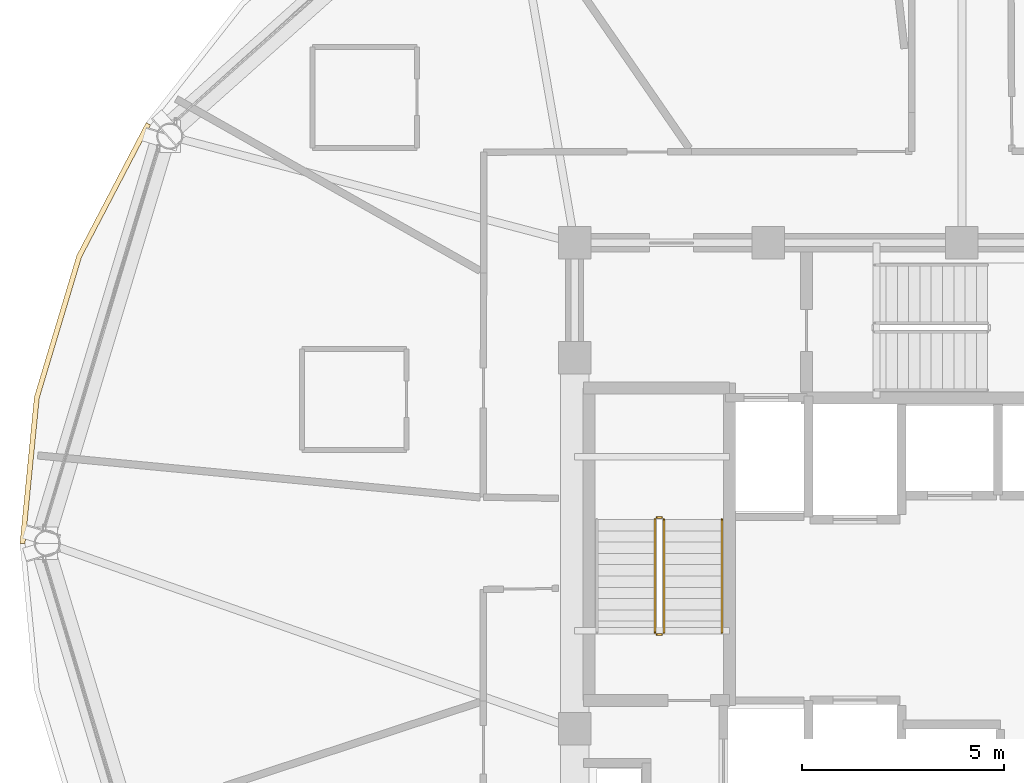
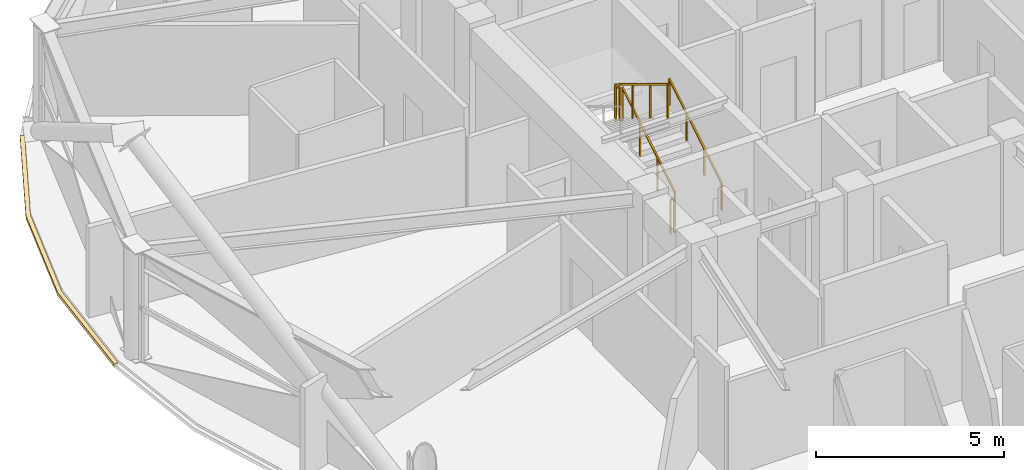
# One storey, part 28 of 30: 5 railings, 1 covering.
"""IFC4 building model written with IfcOpenShell, lengths in metres."""

from ifc_helpers import new_model, si_unit, direction, frame, origin, origin_2d, place, context, subcontext, project, spatial, polyline, rectangle, outline, extrude, material, layer, layer_set, type_object, element, save


model = new_model("IFC4")

# Units and contexts
model_context = context("Model", 3, precision=1e-05, world=origin(), true_north=direction((0.0, 1.0)))
body_context = subcontext(model_context, "Body", "Model", "MODEL_VIEW")
ifc_project = project(units=[si_unit("LENGTHUNIT", "METRE"), si_unit("AREAUNIT", "SQUARE_METRE"), si_unit("VOLUMEUNIT", "CUBIC_METRE"), si_unit("PLANEANGLEUNIT", "RADIAN"), si_unit("MASSUNIT", "GRAM", prefix="KILO")], contexts=[model_context])

# Site, building, storey
site_placement = place(None, origin())
site = spatial("IfcSite", under=ifc_project, at=site_placement, CompositionType="ELEMENT")
building_placement = place(site_placement, origin())
building = spatial("IfcBuilding", under=site, at=building_placement, Name="Vantalir Tower", CompositionType="ELEMENT")
storey_placement = place(building_placement, frame((0.0, 0.0, 189.89990234375)))
storey = spatial("IfcBuildingStorey", under=building, at=storey_placement, Name="L47", CompositionType="ELEMENT", Elevation=189.89990234375)

# Covering
ifc_material_1 = material(Name="Anodised champagne aluminium sill fascia", Category="aluminium")
ifc_layer = layer(ifc_material_1, 0.125)
ifc_layer_set = layer_set([ifc_layer], Name="Anodised champagne aluminium sill fascia")
covering_type = type_object("IfcCoveringType", Name="COV-SLAB-FASCIA-125", PredefinedType="CLADDING", material=ifc_layer_set)
covering_placement = place(storey_placement, frame((0.0, 0.0, -0.179931640625)))
element("IfcCovering", 1, at=covering_placement, inside=storey, type_object=covering_type, Name="L47 Perimeter Slab-Edge Sill Fascia 06", PredefinedType="CLADDING", context=body_context, shape_type="SweptSolid", body=[
    extrude(outline(polyline([(11.277099609375, 35.430908203125), (9.556884765625, 32.135986328125), (8.50390625, 28.623046875), (8.14892578125, 25.0), (8.27392578125, 25.0), (8.626953125, 28.60107421875), (9.675048828125, 32.093017578125), (11.385986328125, 35.368896484375), (11.277099609375, 35.430908203125)])), origin(), (0.0, 0.0, 1.0), 0.10498046875),
])

# Railings
ifc_material_2 = material(Name="Anodised aluminium and stainless steel guard", Category="steel")
railing_type_1 = type_object("IfcRailingType", Name="RAL-GUARD-1120", PredefinedType="GUARDRAIL", material=ifc_material_2)
railing_1_placement = place(storey_placement, frame((24.110107421875, 22.7900390625, 0.170654296875)))
element("IfcRailing", 2, at=railing_1_placement, inside=storey, type_object=railing_type_1, Name="L47 ST1 stair guard 1", PredefinedType="GUARDRAIL", context=body_context, shape_type="SweptSolid", body=[
    extrude(rectangle(XDim=0.048095703125, YDim=0.048095703125, at=origin_2d()), frame((0.0, 0.0, 1.09619140625), z_axis=(0.0, 0.854202870247, 0.519939858505), x_axis=(-1.0, 0.0, 0.0)), (0.0, 0.0, 1.0), 3.278076171875),
    extrude(rectangle(XDim=0.0419921875, YDim=0.0419921875, at=origin_2d()), origin(), (0.0, 0.0, 1.0), 1.072021484375),
    extrude(rectangle(XDim=0.0419921875, YDim=0.0419921875, at=origin_2d()), frame((0.0, 0.933349609375, 0.568115234375)), (0.0, 0.0, 1.0), 1.072021484375),
    extrude(rectangle(XDim=0.0419921875, YDim=0.0419921875, at=origin_2d()), frame((0.0, 1.86669921875, 1.13623046875)), (0.0, 0.0, 1.0), 1.072021484375),
    extrude(rectangle(XDim=0.0419921875, YDim=0.0419921875, at=origin_2d()), frame((0.0, 2.800048828125, 1.704345703125)), (0.0, 0.0, 1.0), 1.072021484375),
])
railing_2_placement = place(storey_placement, frame((24.06005859375, 25.639892578125, 1.875)))
element("IfcRailing", 3, at=railing_2_placement, inside=storey, type_object=railing_type_1, Name="L47 ST1 stair guard 2", PredefinedType="GUARDRAIL", context=body_context, shape_type="SweptSolid", body=[
    extrude(rectangle(XDim=0.048095703125, YDim=0.048095703125, at=origin_2d()), frame((0.0, 0.0, 1.09619140625), z_axis=(-1.0, 0.0, 0.0), x_axis=(0.0, -1.0, 0.0)), (0.0, 0.0, 1.0), 0.1201171875),
    extrude(rectangle(XDim=0.0419921875, YDim=0.0419921875, at=origin_2d()), origin(), (0.0, 0.0, 1.0), 1.072021484375),
    extrude(rectangle(XDim=0.0419921875, YDim=0.0419921875, at=origin_2d()), frame((-0.1201171875, 0.0, 0.0)), (0.0, 0.0, 1.0), 1.072021484375),
])
railing_3_placement = place(storey_placement, frame((23.889892578125, 25.590087890625, 2.045654296875)))
element("IfcRailing", 4, at=railing_3_placement, inside=storey, type_object=railing_type_1, Name="L47 ST1 stair guard 3", PredefinedType="GUARDRAIL", context=body_context, shape_type="SweptSolid", body=[
    extrude(rectangle(XDim=0.048095703125, YDim=0.048095703125, at=origin_2d()), frame((0.0, 0.0, 1.09619140625), z_axis=(0.0, -0.854202870247, 0.519939858505), x_axis=(1.0, 0.0, 0.0)), (0.0, 0.0, 1.0), 3.278076171875),
    extrude(rectangle(XDim=0.0419921875, YDim=0.0419921875, at=origin_2d()), origin(), (0.0, 0.0, 1.0), 1.072021484375),
    extrude(rectangle(XDim=0.0419921875, YDim=0.0419921875, at=origin_2d()), frame((0.0, -0.933349609375, 0.568115234375)), (0.0, 0.0, 1.0), 1.072021484375),
    extrude(rectangle(XDim=0.0419921875, YDim=0.0419921875, at=origin_2d()), frame((0.0, -1.86669921875, 1.13623046875)), (0.0, 0.0, 1.0), 1.072021484375),
    extrude(rectangle(XDim=0.0419921875, YDim=0.0419921875, at=origin_2d()), frame((0.0, -2.800048828125, 1.704345703125)), (0.0, 0.0, 1.0), 1.072021484375),
])
railing_4_placement = place(storey_placement, frame((24.06005859375, 22.739990234375, 0.0)))
element("IfcRailing", 5, at=railing_4_placement, inside=storey, type_object=railing_type_1, Name="L47 ST1 stair guard 4", PredefinedType="GUARDRAIL", context=body_context, shape_type="SweptSolid", body=[
    extrude(rectangle(XDim=0.048095703125, YDim=0.048095703125, at=origin_2d()), frame((0.0, 0.0, 1.09619140625), z_axis=(-1.0, 0.0, 0.0), x_axis=(0.0, -1.0, 0.0)), (0.0, 0.0, 1.0), 0.1201171875),
    extrude(rectangle(XDim=0.0419921875, YDim=0.0419921875, at=origin_2d()), origin(), (0.0, 0.0, 1.0), 1.072021484375),
    extrude(rectangle(XDim=0.0419921875, YDim=0.0419921875, at=origin_2d()), frame((-0.1201171875, 0.0, 0.0)), (0.0, 0.0, 1.0), 1.072021484375),
])
ifc_material_3 = material(Name="Brushed stainless steel tubular handrail", Category="steel")
railing_type_2 = type_object("IfcRailingType", Name="RAL-HANDRAIL-900", PredefinedType="HANDRAIL", material=ifc_material_3)
railing_5_placement = place(storey_placement, frame((25.550048828125, 22.7900390625, 0.170654296875)))
element("IfcRailing", 6, at=railing_5_placement, inside=storey, type_object=railing_type_2, Name="L47 ST1 stair handrail 1", PredefinedType="HANDRAIL", context=body_context, shape_type="SweptSolid", body=[
    extrude(rectangle(XDim=0.048095703125, YDim=0.048095703125, at=origin_2d()), frame((0.0, 0.0, 0.8759765625), z_axis=(0.0, 0.854202870247, 0.519939858505), x_axis=(-1.0, 0.0, 0.0)), (0.0, 0.0, 1.0), 3.278076171875),
    extrude(rectangle(XDim=0.0419921875, YDim=0.0419921875, at=origin_2d()), origin(), (0.0, 0.0, 1.0), 0.851806640625),
    extrude(rectangle(XDim=0.0419921875, YDim=0.0419921875, at=origin_2d()), frame((0.0, 0.933349609375, 0.568115234375)), (0.0, 0.0, 1.0), 0.851806640625),
    extrude(rectangle(XDim=0.0419921875, YDim=0.0419921875, at=origin_2d()), frame((0.0, 1.86669921875, 1.13623046875)), (0.0, 0.0, 1.0), 0.851806640625),
    extrude(rectangle(XDim=0.0419921875, YDim=0.0419921875, at=origin_2d()), frame((0.0, 2.800048828125, 1.704345703125)), (0.0, 0.0, 1.0), 0.851806640625),
])

save(model, "model.ifc")
